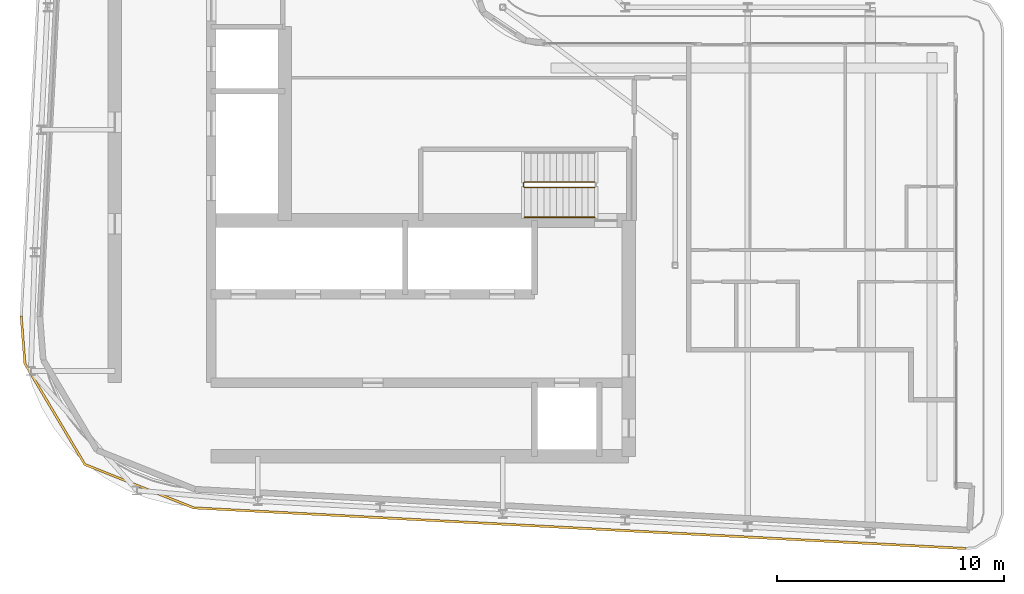
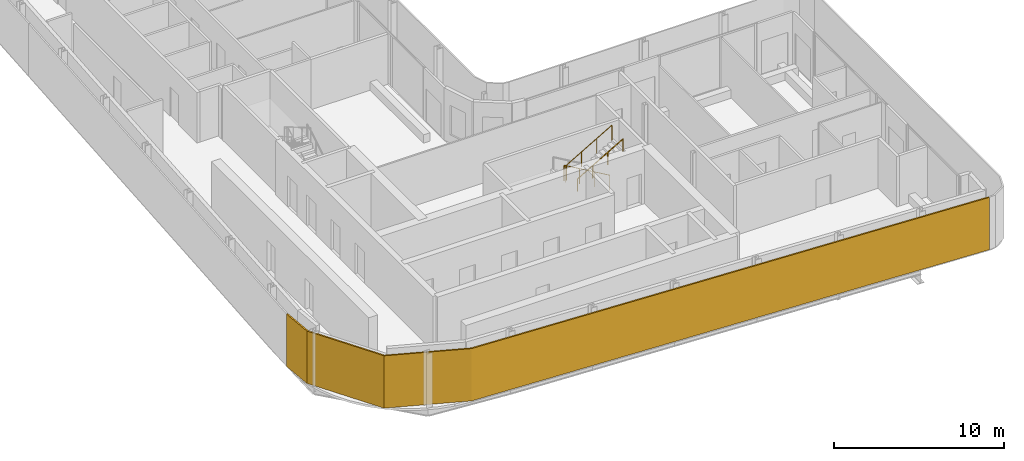
# One storey, part 16 of 21: 2 railings, 1 shading device.
"""IFC4 building model written with IfcOpenShell, lengths in metres."""

from ifc_helpers import new_model, si_unit, direction, frame, origin, origin_2d, place, context, subcontext, project, spatial, polyline, circle, outline, extrude, material, layer, layer_set, type_object, element, save


model = new_model("IFC4")

# Units and contexts
model_context = context("Model", 3, precision=1e-05, world=origin(), true_north=direction((0.0, 1.0)))
body_context = subcontext(model_context, "Body", "Model", "MODEL_VIEW")
ifc_project = project(units=[si_unit("LENGTHUNIT", "METRE"), si_unit("AREAUNIT", "SQUARE_METRE"), si_unit("VOLUMEUNIT", "CUBIC_METRE"), si_unit("PLANEANGLEUNIT", "RADIAN"), si_unit("MASSUNIT", "GRAM", prefix="KILO")], contexts=[model_context])

# Site, building, storey
site_placement = place(None, origin())
site = spatial("IfcSite", under=ifc_project, at=site_placement, CompositionType="ELEMENT")
building_placement = place(site_placement, origin())
building = spatial("IfcBuilding", under=site, at=building_placement, Name="Kheshtan School and Residences Tower", CompositionType="ELEMENT")
storey_placement = place(building_placement, frame((0.0, 0.0, 305.89990234375)))
storey = spatial("IfcBuildingStorey", under=building, at=storey_placement, Name="L72", CompositionType="ELEMENT", Elevation=305.89990234375)

# Shading device
ifc_material_1 = material(Name="Terracotta baguette, extruded ceramic", Category="masonry")
ifc_layer = layer(ifc_material_1, 0.10009765625)
ifc_layer_set = layer_set([ifc_layer], Name="Ledge screen, terracotta baguettes")
shading_device_type = type_object("IfcShadingDeviceType", Name="Ledge screen, terracotta baguettes", PredefinedType="USERDEFINED", material=ifc_layer_set)
shading_device_placement = place(storey_placement, origin())
element("IfcShadingDevice", 1, at=shading_device_placement, inside=storey, type_object=shading_device_type, Name="Screen L72 3", ObjectType="BAGUETTE", PredefinedType="USERDEFINED", context=body_context, shape_type="SweptSolid", body=[
    extrude(outline(polyline([(68.02099609375, 21.7880859375), (33.989013671875, 23.580078125), (29.2119140625, 25.486083984375), (26.583984375, 29.906982421875), (26.419921875, 31.989013671875), (26.320068359375, 31.98095703125), (26.486083984375, 29.8759765625), (29.14306640625, 25.406005859375), (33.967041015625, 23.48095703125), (68.01611328125, 21.68798828125), (68.02099609375, 21.7880859375)])), origin(), (0.0, 0.0, 1.0), 3.75),
])

# Railings
ifc_material_2 = material(Name="Stainless steel balustrade", Category="steel")
railing_type_1 = type_object("IfcRailingType", Name="Stair guard 1100", PredefinedType="GUARDRAIL", material=ifc_material_2)
railing_1_placement = place(storey_placement, frame((51.64990234375, 37.89990234375, 0.16259765625)))
element("IfcRailing", 2, at=railing_1_placement, inside=storey, type_object=railing_type_1, Name="L72 ST1 stair guard 1", PredefinedType="GUARDRAIL", context=body_context, shape_type="SweptSolid", body=[
    extrude(circle(Radius=0.02392578125, at=origin_2d()), frame((0.0, 0.0, 1.076171875), z_axis=(-0.864873446163, 0.0, 0.501989962173), x_axis=(0.0, -1.0, 0.0)), (0.0, 0.0, 1.0), 3.56103515625),
    extrude(circle(Radius=0.02392578125, at=origin_2d()), frame((-3.079833984375, 0.0, 2.86376953125), z_axis=(-0.708833529934, -0.705375805398, 0.0), x_axis=(0.705375805398, -0.708833529934, 0.0)), (0.0, 0.0, 1.0), 0.070556640625),
    extrude(circle(Radius=0.02392578125, at=origin_2d()), frame((-3.1298828125, -0.0498046875, 2.86376953125), z_axis=(0.0, -1.0, 0.0), x_axis=(1.0, 0.0, 0.0)), (0.0, 0.0, 1.0), 0.150146484375),
    extrude(circle(Radius=0.02392578125, at=origin_2d()), frame((-3.1298828125, -0.199951171875, 2.86376953125), z_axis=(0.282583949758, -0.282583949758, 0.916674763849), x_axis=(0.707106781187, 0.707106781187, 0.0)), (0.0, 0.0, 1.0), 0.177001953125),
    extrude(circle(Radius=0.02392578125, at=origin_2d()), frame((-3.079833984375, -0.25, 3.02587890625), z_axis=(0.864873446163, 0.0, 0.501989962173), x_axis=(0.0, 1.0, 0.0)), (0.0, 0.0, 1.0), 3.56103515625),
    extrude(circle(Radius=0.02099609375, at=origin_2d()), origin(), (0.0, 0.0, 1.0), 1.052001953125),
    extrude(circle(Radius=0.02099609375, at=origin_2d()), frame((-1.026611328125, 0.0, 0.595947265625)), (0.0, 0.0, 1.0), 1.052001953125),
    extrude(circle(Radius=0.02099609375, at=origin_2d()), frame((-2.05322265625, 0.0, 1.191650390625)), (0.0, 0.0, 1.0), 1.052001953125),
    extrude(circle(Radius=0.02099609375, at=origin_2d()), frame((-3.079833984375, 0.0, 1.78759765625)), (0.0, 0.0, 1.0), 1.052001953125),
    extrude(circle(Radius=0.02099609375, at=origin_2d()), frame((-3.1298828125, -0.0498046875, 1.78759765625)), (0.0, 0.0, 1.0), 1.052001953125),
    extrude(circle(Radius=0.02099609375, at=origin_2d()), frame((-3.1298828125, -0.199951171875, 1.78759765625)), (0.0, 0.0, 1.0), 1.052001953125),
    extrude(circle(Radius=0.02099609375, at=origin_2d()), frame((-3.079833984375, -0.25, 1.949951171875)), (0.0, 0.0, 1.0), 1.052001953125),
    extrude(circle(Radius=0.02099609375, at=origin_2d()), frame((-2.05322265625, -0.25, 2.5458984375)), (0.0, 0.0, 1.0), 1.052001953125),
    extrude(circle(Radius=0.02099609375, at=origin_2d()), frame((-1.026611328125, -0.25, 3.1416015625)), (0.0, 0.0, 1.0), 1.052001953125),
    extrude(circle(Radius=0.02099609375, at=origin_2d()), frame((0.0, -0.25, 3.737548828125)), (0.0, 0.0, 1.0), 1.052001953125),
])
ifc_material_3 = material(Name="Stainless steel handrail", Category="steel")
railing_type_2 = type_object("IfcRailingType", Name="Stair handrail 900", PredefinedType="HANDRAIL", material=ifc_material_3)
railing_2_placement = place(storey_placement, frame((48.570068359375, 36.35009765625, 2.112548828125)))
element("IfcRailing", 3, at=railing_2_placement, inside=storey, type_object=railing_type_2, Name="L72 ST1 stair handrail 2", PredefinedType="HANDRAIL", context=body_context, shape_type="SweptSolid", body=[
    extrude(circle(Radius=0.02392578125, at=origin_2d()), frame((0.0, 0.0, 0.8759765625), z_axis=(0.864873446163, 0.0, 0.501989962173), x_axis=(0.0, 1.0, 0.0)), (0.0, 0.0, 1.0), 3.56103515625),
    extrude(circle(Radius=0.02099609375, at=origin_2d()), origin(), (0.0, 0.0, 1.0), 0.851806640625),
    extrude(circle(Radius=0.02099609375, at=origin_2d()), frame((1.026611328125, 0.0, 0.595947265625)), (0.0, 0.0, 1.0), 0.851806640625),
    extrude(circle(Radius=0.02099609375, at=origin_2d()), frame((2.05322265625, 0.0, 1.191650390625)), (0.0, 0.0, 1.0), 0.851806640625),
    extrude(circle(Radius=0.02099609375, at=origin_2d()), frame((3.079833984375, 0.0, 1.78759765625)), (0.0, 0.0, 1.0), 0.851806640625),
])

save(model, "model.ifc")
